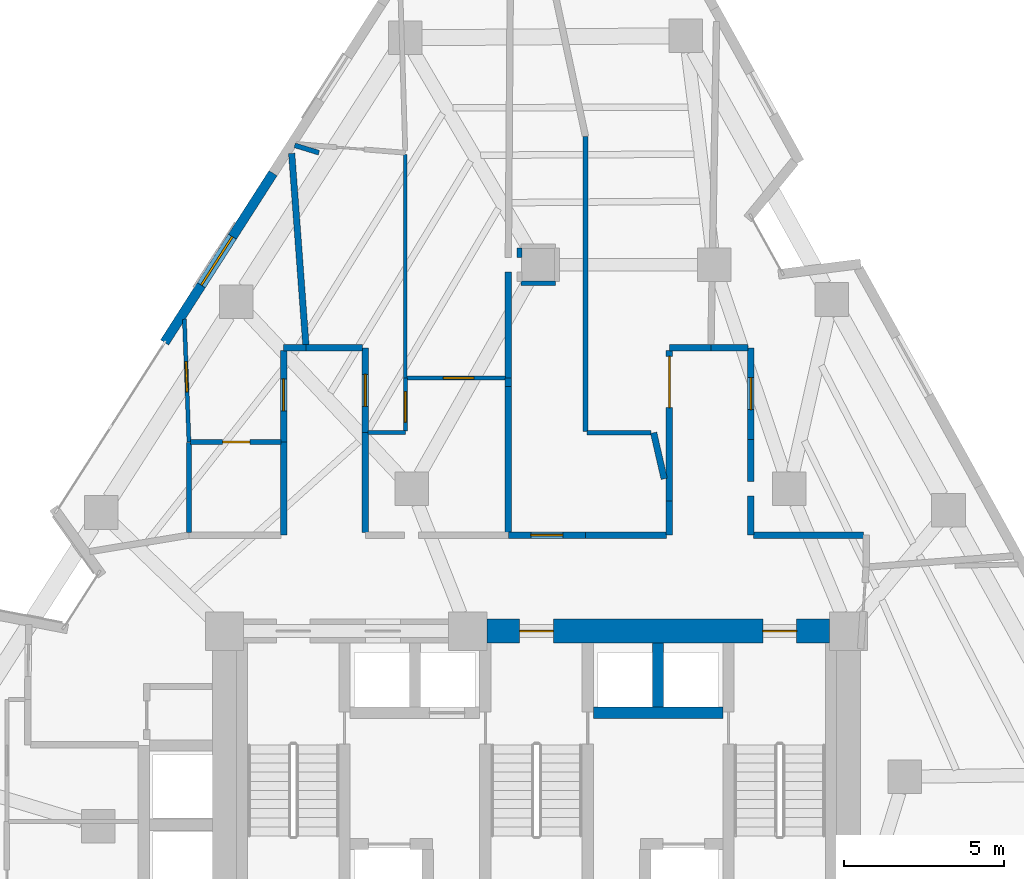
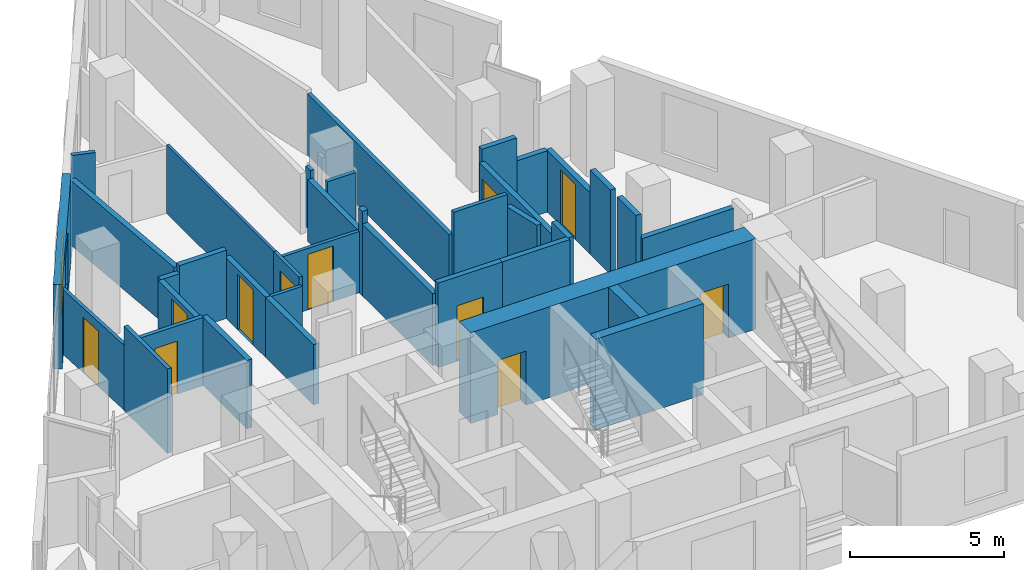
# One storey, part 7 of 11: 37 walls, 11 doors, 1 window, 12 openings.
"""IFC4 building model written with IfcOpenShell, lengths in metres."""

from ifc_helpers import new_model, si_unit, direction, frame, frame_2d, origin, place, context, subcontext, project, spatial, rectangle, extrude, material, layer, layer_set, type_object, element, fill, save


model = new_model("IFC4")

# Units and contexts
model_context = context("Model", 3, precision=1e-05, world=origin(), true_north=direction((0.0, 1.0)))
body_context = subcontext(model_context, "Body", "Model", "MODEL_VIEW")
ifc_project = project(units=[si_unit("LENGTHUNIT", "METRE"), si_unit("AREAUNIT", "SQUARE_METRE"), si_unit("VOLUMEUNIT", "CUBIC_METRE"), si_unit("PLANEANGLEUNIT", "RADIAN"), si_unit("MASSUNIT", "GRAM", prefix="KILO")], contexts=[model_context])

# Site, building, storey
site_placement = place(None, origin())
site = spatial("IfcSite", under=ifc_project, at=site_placement, CompositionType="ELEMENT")
building_placement = place(site_placement, origin())
building = spatial("IfcBuilding", under=site, at=building_placement, Name="Almagre Mirador Tower", CompositionType="ELEMENT")
storey_placement = place(building_placement, frame((0.0, 0.0, 160.800048828125)))
storey = spatial("IfcBuildingStorey", under=building, at=storey_placement, Name="L41", CompositionType="ELEMENT", Elevation=160.800048828125)

# Wall, opening, window
ifc_material_1 = material(Name="Precast concrete C50/60", Category="concrete")
ifc_layer_1 = layer(ifc_material_1, 0.300048828125)
ifc_layer_set_1 = layer_set([ifc_layer_1], Name="Precast concrete C50/60")
wall_type_1 = type_object("IfcWallType", Name="WAL-EXT-300", PredefinedType="SOLIDWALL", material=ifc_layer_set_1)
wall_1_placement = place(storey_placement, frame((25.679443359375, 23.771728515625, 0.0), z_axis=(0.0, 0.0, 1.0), x_axis=(0.539489448276, 0.841992360535, 0.0)))
wall_1 = element("IfcWall", 1, at=wall_1_placement, inside=storey, type_object=wall_type_1, Name="L41 expressed almagre precast frame wall 03", PredefinedType="SOLIDWALL", context=body_context, shape_type="SweptSolid", body=[
    extrude(rectangle(XDim=6.279052734375, YDim=0.300048828125, at=frame_2d((3.1396484375, 0.0))), origin(), (0.0, 0.0, 1.0), 3.349853515625),
])
opening_1_placement = place(wall_1_placement, frame((2.125, 0.0, 0.60009765625)))
opening_1 = element("IfcOpeningElement", 2, at=opening_1_placement, cuts=wall_1, Name="Opening WN-01", PredefinedType="OPENING", context=body_context, shape_type="SweptSolid", body=[
    extrude(rectangle(XDim=1.800048828125, YDim=2.10009765625, at=frame_2d((0.89990234375, 1.050048828125))), frame((0.0, 0.159902, 0.0), z_axis=(0.0, -1.0, 0.0), x_axis=(1.0, 0.0, 0.0)), (0.0, 0.0, 1.0), 0.320049),
])
ifc_material_2 = material(Name="Dark solar-control laminated hurricane glass", Category="glass")
window_type = type_object("IfcWindowType", Name="WIN-1800X2100", PartitioningType="DOUBLE_PANEL_VERTICAL", PredefinedType="WINDOW", material=ifc_material_2)
window_placement = place(opening_1_placement, origin())
window = element("IfcWindow", 3, at=window_placement, inside=storey, type_object=window_type, Name="L41 recessed hurricane window L41-UD-ST", OverallHeight=2.10009765625, OverallWidth=1.800048828125, PartitioningType="SINGLE_PANEL", PredefinedType="WINDOW", context=body_context, shape_type="SweptSolid", body=[
    extrude(rectangle(XDim=1.800048828125, YDim=2.10009765625, at=frame_2d((0.89990234375, 1.050048828125))), frame((0.0, 0.030029296875, 0.0), z_axis=(0.0, -1.0, 0.0), x_axis=(1.0, 0.0, 0.0)), (0.0, 0.0, 1.0), 0.06005859375),
])
fill(opening_1, window)

# Wall
ifc_material_3 = material(Name="Gypsum acoustic stud partition", Category="other")
ifc_layer_2 = layer(ifc_material_3, 0.10009765625)
ifc_layer_set_2 = layer_set([ifc_layer_2], Name="Gypsum acoustic stud partition")
wall_type_2 = type_object("IfcWallType", Name="WAL-PRT-100-CLS", PredefinedType="PARTITIONING", material=ifc_layer_set_2)
wall_2_placement = place(storey_placement, frame((33.199951171875, 22.659912109375, 0.0), z_axis=(0.0, 0.0, 1.0), x_axis=(0.0, 1.0, 0.0)))
element("IfcWall", 4, at=wall_2_placement, inside=storey, type_object=wall_type_2, Name="L41 interior partition 062", PredefinedType="PARTITIONING", context=body_context, shape_type="SweptSolid", body=[
    extrude(rectangle(XDim=6.97998046875, YDim=0.10009765625, at=frame_2d((3.489990234375, 0.0))), origin(), (0.0, 0.0, 1.0), 2.708984375),
])

# Wall, opening, door
ifc_material_4 = material(Name="Gypsum acoustic stud partition", Category="other")
ifc_layer_3 = layer(ifc_material_4, 0.125)
ifc_layer_set_3 = layer_set([ifc_layer_3], Name="Gypsum acoustic stud partition")
wall_type_3 = type_object("IfcWallType", Name="WAL-PRT-125-UTL", PredefinedType="PARTITIONING", material=ifc_layer_set_3)
wall_3_placement = place(storey_placement, frame((26.298095703125, 24.4970703125, 0.0), z_axis=(0.0, 0.0, 1.0), x_axis=(0.036941110587, -0.999317444233, 0.0)))
wall_3 = element("IfcWall", 5, at=wall_3_placement, inside=storey, type_object=wall_type_3, Name="L41 interior partition 042", PredefinedType="PARTITIONING", context=body_context, shape_type="SweptSolid", body=[
    extrude(rectangle(XDim=3.83984375, YDim=0.125, at=frame_2d((1.919921875, 0.0))), origin(), (0.0, 0.0, 1.0), 2.570068359375),
])
opening_2_placement = place(wall_3_placement, frame((1.32470703125, 0.0, 0.0)))
opening_2 = element("IfcOpeningElement", 6, at=opening_2_placement, cuts=wall_3, Name="Opening UD-01", PredefinedType="OPENING", context=body_context, shape_type="SweptSolid", body=[
    extrude(rectangle(XDim=0.949951171875, YDim=2.199951171875, at=frame_2d((0.47509765625, 1.10009765625))), frame((0.0, 0.0725, 0.0), z_axis=(0.0, -1.0, 0.0), x_axis=(1.0, 0.0, 0.0)), (0.0, 0.0, 1.0), 0.145),
])
ifc_material_5 = material(Name="Solid American walnut timber", Category="wood")
door_type_1 = type_object("IfcDoorType", Name="DOR-UNR-950X2200", OperationType="NOTDEFINED", PredefinedType="DOOR", material=ifc_material_5)
door_1_placement = place(opening_2_placement, origin())
door_1 = element("IfcDoor", 7, at=door_1_placement, inside=storey, type_object=door_type_1, Name="DR-1328 L41 interior door L41-UD-ST to L41-UD-KT", OperationType="SINGLE_SWING_RIGHT", OverallHeight=2.199951171875, OverallWidth=0.949951171875, PredefinedType="DOOR", context=body_context, shape_type="SweptSolid", body=[
    extrude(rectangle(XDim=0.949951171875, YDim=2.199951171875, at=frame_2d((0.47509765625, 1.10009765625))), frame((0.0, 0.02490234375, 0.0), z_axis=(0.0, -1.0, 0.0), x_axis=(1.0, 0.0, 0.0)), (0.0, 0.0, 1.0), 0.050048828125),
])
fill(opening_2, door_1)

# Wall
wall_4_placement = place(storey_placement, frame((32.034912109375, 20.949951171875, 0.0), z_axis=(0.0, 0.0, 1.0), x_axis=(1.0, 0.0, 0.0)))
element("IfcWall", 8, at=wall_4_placement, inside=storey, type_object=wall_type_3, Name="L41 interior partition 060", PredefinedType="PARTITIONING", context=body_context, shape_type="SweptSolid", body=[
    extrude(rectangle(XDim=1.1650390625, YDim=0.125, at=frame_2d((0.58251953125, 0.0))), origin(), (0.0, 0.0, 1.0), 2.39306640625),
])

# Wall, opening, door
wall_5_placement = place(storey_placement, frame((33.199951171875, 20.99755859375, 0.0), z_axis=(0.0, 0.0, 1.0), x_axis=(0.0, 1.0, 0.0)))
wall_5 = element("IfcWall", 9, at=wall_5_placement, inside=storey, type_object=wall_type_3, Name="L41 interior partition 061", PredefinedType="PARTITIONING", context=body_context, shape_type="SweptSolid", body=[
    extrude(rectangle(XDim=1.662353515625, YDim=0.125, at=frame_2d((0.8310546875, 0.0))), origin(), (0.0, 0.0, 1.0), 2.708984375),
])
opening_3_placement = place(wall_5_placement, frame((0.284423828125, 0.0, 0.0)))
opening_3 = element("IfcOpeningElement", 10, at=opening_3_placement, cuts=wall_5, Name="Opening UD-01", PredefinedType="OPENING", context=body_context, shape_type="SweptSolid", body=[
    extrude(rectangle(XDim=0.949951171875, YDim=2.199951171875, at=frame_2d((0.47509765625, 1.10009765625))), frame((0.0, 0.0725, 0.0), z_axis=(0.0, -1.0, 0.0), x_axis=(1.0, 0.0, 0.0)), (0.0, 0.0, 1.0), 0.145),
])
door_2_placement = place(opening_3_placement, origin())
door_2 = element("IfcDoor", 11, at=door_2_placement, inside=storey, type_object=door_type_1, Name="DR-1333 L41 interior door L41-UG-ST to L41-UG-KT", OperationType="SINGLE_SWING_RIGHT", OverallHeight=2.199951171875, OverallWidth=0.949951171875, PredefinedType="DOOR", context=body_context, shape_type="SweptSolid", body=[
    extrude(rectangle(XDim=0.949951171875, YDim=2.199951171875, at=frame_2d((0.47509765625, 1.10009765625))), frame((0.0, 0.02490234375, 0.0), z_axis=(0.0, -1.0, 0.0), x_axis=(1.0, 0.0, 0.0)), (0.0, 0.0, 1.0), 0.050048828125),
])
fill(opening_3, door_2)

wall_6_placement = place(storey_placement, frame((36.3349609375, 22.659912109375, 0.0), z_axis=(0.0, 0.0, 1.0), x_axis=(-1.0, 0.0, 0.0)))
wall_6 = element("IfcWall", 12, at=wall_6_placement, inside=storey, type_object=wall_type_3, Name="L41 interior partition 064", PredefinedType="PARTITIONING", context=body_context, shape_type="SweptSolid", body=[
    extrude(rectangle(XDim=3.08740234375, YDim=0.125, at=frame_2d((1.543701171875, 0.0))), origin(), (0.0, 0.0, 1.0), 2.43603515625),
])
opening_4_placement = place(wall_6_placement, frame((0.991455078125, 0.0, 0.0)))
opening_4 = element("IfcOpeningElement", 13, at=opening_4_placement, cuts=wall_6, Name="Opening UD-01", PredefinedType="OPENING", context=body_context, shape_type="SweptSolid", body=[
    extrude(rectangle(XDim=0.949951171875, YDim=2.199951171875, at=frame_2d((0.47509765625, 1.10009765625))), frame((0.0, 0.0725, 0.0), z_axis=(0.0, -1.0, 0.0), x_axis=(1.0, 0.0, 0.0)), (0.0, 0.0, 1.0), 0.145),
])
door_3_placement = place(opening_4_placement, origin())
door_3 = element("IfcDoor", 14, at=door_3_placement, inside=storey, type_object=door_type_1, Name="DR-1335 L41 interior door L41-UG-KT to L41-UG-SL1", OperationType="SINGLE_SWING_RIGHT", OverallHeight=2.199951171875, OverallWidth=0.949951171875, PredefinedType="DOOR", context=body_context, shape_type="SweptSolid", body=[
    extrude(rectangle(XDim=0.949951171875, YDim=2.199951171875, at=frame_2d((0.47509765625, 1.10009765625))), frame((0.0, 0.02490234375, 0.0), z_axis=(0.0, -1.0, 0.0), x_axis=(1.0, 0.0, 0.0)), (0.0, 0.0, 1.0), 0.050048828125),
])
fill(opening_4, door_3)

ifc_material_6 = material(Name="Gypsum acoustic stud partition", Category="other")
ifc_layer_4 = layer(ifc_material_6, 0.14990234375)
ifc_layer_set_4 = layer_set([ifc_layer_4], Name="Gypsum acoustic stud partition")
wall_type_4 = type_object("IfcWallType", Name="WAL-PRT-150-STD", PredefinedType="PARTITIONING", material=ifc_layer_set_4)
wall_7_placement = place(storey_placement, frame((26.487548828125, 20.659912109375, 0.0), z_axis=(0.0, 0.0, 1.0), x_axis=(1.0, 0.0, 0.0)))
wall_7 = element("IfcWall", 15, at=wall_7_placement, inside=storey, type_object=wall_type_4, Name="L41 interior partition 043", PredefinedType="PARTITIONING", context=body_context, shape_type="SweptSolid", body=[
    extrude(rectangle(XDim=2.827392578125, YDim=0.14990234375, at=frame_2d((1.41357421875, 0.0))), origin(), (0.0, 0.0, 1.0), 2.708984375),
])
opening_5_placement = place(wall_7_placement, frame((1.007568359375, 0.0, 0.0)))
opening_5 = element("IfcOpeningElement", 16, at=opening_5_placement, cuts=wall_7, Name="Opening UD-04", PredefinedType="OPENING", context=body_context, shape_type="SweptSolid", body=[
    extrude(rectangle(XDim=0.85009765625, YDim=2.10009765625, at=frame_2d((0.425048828125, 1.050048828125))), frame((0.0, 0.084951, 0.0), z_axis=(0.0, -1.0, 0.0), x_axis=(1.0, 0.0, 0.0)), (0.0, 0.0, 1.0), 0.169902),
])
ifc_material_7 = material(Name="Moisture-resistant oak timber", Category="wood")
door_type_2 = type_object("IfcDoorType", Name="DOR-UNR-850X2100", OperationType="NOTDEFINED", PredefinedType="DOOR", material=ifc_material_7)
door_4_placement = place(opening_5_placement, origin())
door_4 = element("IfcDoor", 17, at=door_4_placement, inside=storey, type_object=door_type_2, Name="DR-1329 L41 interior door L41-UD-ST to L41-UD-BT", OperationType="SINGLE_SWING_LEFT", OverallHeight=2.10009765625, OverallWidth=0.85009765625, PredefinedType="DOOR", context=body_context, shape_type="SweptSolid", body=[
    extrude(rectangle(XDim=0.85009765625, YDim=2.10009765625, at=frame_2d((0.425048828125, 1.050048828125))), frame((0.0, 0.02490234375, 0.0), z_axis=(0.0, -1.0, 0.0), x_axis=(1.0, 0.0, 0.0)), (0.0, 0.0, 1.0), 0.050048828125),
])
fill(opening_5, door_4)

# Walls
wall_8_placement = place(storey_placement, frame((26.43994140625, 17.8349609375, 0.0), z_axis=(0.0, 0.0, 1.0), x_axis=(0.0, 1.0, 0.0)))
element("IfcWall", 18, at=wall_8_placement, inside=storey, type_object=wall_type_4, Name="L41 interior partition 045", PredefinedType="PARTITIONING", context=body_context, shape_type="SweptSolid", body=[
    extrude(rectangle(XDim=2.8125, YDim=0.14990234375, at=frame_2d((1.40625, 0.0))), origin(), (0.0, 0.0, 1.0), 3.349853515625),
])
wall_9_placement = place(storey_placement, frame((29.743896484375, 29.930908203125, 0.0), z_axis=(0.0, 0.0, 1.0), x_axis=(0.956483166449, -0.291787512241, 0.0)))
element("IfcWall", 19, at=wall_9_placement, inside=storey, type_object=wall_type_4, Name="L41 interior partition 073", PredefinedType="PARTITIONING", context=body_context, shape_type="SweptSolid", body=[
    extrude(rectangle(XDim=0.79150390625, YDim=0.14990234375, at=frame_2d((0.395751953125, 0.0))), origin(), (0.0, 0.0, 1.0), 3.349853515625),
])
wall_10_placement = place(storey_placement, frame((36.77001953125, 26.419921875, 0.0), z_axis=(0.0, 0.0, 1.0), x_axis=(0.0, 1.0, 0.0)))
element("IfcWall", 20, at=wall_10_placement, inside=storey, type_object=wall_type_4, Name="L41 interior partition 075", PredefinedType="PARTITIONING", context=body_context, shape_type="SweptSolid", body=[
    extrude(rectangle(XDim=0.31005859375, YDim=0.14990234375, at=frame_2d((0.155029296875, 0.0))), origin(), (0.0, 0.0, 1.0), 2.39306640625),
])
wall_11_placement = place(storey_placement, frame((37.889892578125, 25.6201171875, 0.0), z_axis=(0.0, 0.0, 1.0), x_axis=(-1.0, 0.0, 0.0)))
element("IfcWall", 21, at=wall_11_placement, inside=storey, type_object=wall_type_4, Name="L41 interior partition 078", PredefinedType="PARTITIONING", context=body_context, shape_type="SweptSolid", body=[
    extrude(rectangle(XDim=1.06982421875, YDim=0.14990234375, at=frame_2d((0.534912109375, 0.0))), origin(), (0.0, 0.0, 1.0), 2.43603515625),
])
wall_12_placement = place(storey_placement, frame((40.875, 20.949951171875, 0.0), z_axis=(0.0, 0.0, 1.0), x_axis=(-1.0, 0.0, 0.0)))
element("IfcWall", 22, at=wall_12_placement, inside=storey, type_object=wall_type_4, Name="L41 interior partition 080", PredefinedType="PARTITIONING", context=body_context, shape_type="SweptSolid", body=[
    extrude(rectangle(XDim=2.0048828125, YDim=0.14990234375, at=frame_2d((1.00244140625, 0.0))), origin(), (0.0, 0.0, 1.0), 3.349853515625),
])
wall_13_placement = place(storey_placement, frame((38.830078125, 20.989990234375, 0.0), z_axis=(0.0, 0.0, 1.0), x_axis=(0.0, 1.0, 0.0)))
element("IfcWall", 23, at=wall_13_placement, inside=storey, type_object=wall_type_4, Name="L41 interior partition 081", PredefinedType="PARTITIONING", context=body_context, shape_type="SweptSolid", body=[
    extrude(rectangle(XDim=9.219970703125, YDim=0.14990234375, at=frame_2d((4.60986328125, 0.0))), origin(), (0.0, 0.0, 1.0), 2.43603515625),
])
ifc_material_8 = material(Name="Gypsum acoustic stud partition", Category="other")
ifc_layer_5 = layer(ifc_material_8, 0.199951171875)
ifc_layer_set_5 = layer_set([ifc_layer_5], Name="Gypsum acoustic stud partition")
wall_type_5 = type_object("IfcWallType", Name="WAL-PRT-200-EI60", PredefinedType="PARTITIONING", material=ifc_layer_set_5)
wall_14_placement = place(storey_placement, frame((30.10009765625, 23.60009765625, 0.0), z_axis=(0.0, 0.0, 1.0), x_axis=(-1.0, 0.0, 0.0)))
element("IfcWall", 24, at=wall_14_placement, inside=storey, type_object=wall_type_5, Name="L41 interior partition 005", PredefinedType="PARTITIONING", context=body_context, shape_type="SweptSolid", body=[
    extrude(rectangle(XDim=0.7001953125, YDim=0.199951171875, at=frame_2d((0.35009765625, 0.0))), origin(), (0.0, 0.0, 1.0), 2.39306640625),
])

# Wall, opening, door
wall_15_placement = place(storey_placement, frame((29.39990234375, 23.514892578125, 0.0), z_axis=(0.0, 0.0, 1.0), x_axis=(0.0, -1.0, 0.0)))
wall_15 = element("IfcWall", 25, at=wall_15_placement, inside=storey, type_object=wall_type_5, Name="L41 interior partition 006", PredefinedType="PARTITIONING", context=body_context, shape_type="SweptSolid", body=[
    extrude(rectangle(XDim=2.85498046875, YDim=0.199951171875, at=frame_2d((1.427490234375, 0.0))), origin(), (0.0, 0.0, 1.0), 2.39306640625),
])
opening_6_placement = place(wall_15_placement, frame((0.885009765625, 0.0, 0.0)))
opening_6 = element("IfcOpeningElement", 26, at=opening_6_placement, cuts=wall_15, Name="Opening ID-01", PredefinedType="OPENING", context=body_context, shape_type="SweptSolid", body=[
    extrude(rectangle(XDim=1.0, YDim=2.199951171875, at=frame_2d((0.5, 1.10009765625))), frame((0.0, 0.110098, 0.0), z_axis=(0.0, -1.0, 0.0), x_axis=(1.0, 0.0, 0.0)), (0.0, 0.0, 1.0), 0.219951),
])
ifc_material_9 = material(Name="Fire-rated walnut timber", Category="wood")
door_type_3 = type_object("IfcDoorType", Name="DOR-FD60-1000X2200", OperationType="NOTDEFINED", PredefinedType="DOOR", material=ifc_material_9)
door_5_placement = place(opening_6_placement, origin())
door_5 = element("IfcDoor", 27, at=door_5_placement, inside=storey, type_object=door_type_3, Name="DR-1327 L41 interior door L41-RCOR to L41-UD-ST", OperationType="SINGLE_SWING_LEFT", OverallHeight=2.199951171875, OverallWidth=1.0, PredefinedType="DOOR", context=body_context, shape_type="SweptSolid", body=[
    extrude(rectangle(XDim=1.0, YDim=2.199951171875, at=frame_2d((0.5, 1.10009765625))), frame((0.0, 0.02490234375, 0.0), z_axis=(0.0, -1.0, 0.0), x_axis=(1.0, 0.0, 0.0)), (0.0, 0.0, 1.0), 0.050048828125),
])
fill(opening_6, door_5)

# Wall
wall_16_placement = place(storey_placement, frame((29.39990234375, 20.659912109375, 0.0), z_axis=(0.0, 0.0, 1.0), x_axis=(0.0, -1.0, 0.0)))
element("IfcWall", 28, at=wall_16_placement, inside=storey, type_object=wall_type_5, Name="L41 interior partition 008", PredefinedType="PARTITIONING", context=body_context, shape_type="SweptSolid", body=[
    extrude(rectangle(XDim=2.909912109375, YDim=0.199951171875, at=frame_2d((1.455078125, 0.0))), origin(), (0.0, 0.0, 1.0), 2.708984375),
])

# Wall, opening, door
wall_17_placement = place(storey_placement, frame((38.830078125, 17.75, 0.0), z_axis=(0.0, 0.0, 1.0), x_axis=(-1.0, 0.0, 0.0)))
wall_17 = element("IfcWall", 29, at=wall_17_placement, inside=storey, type_object=wall_type_5, Name="L41 interior partition 010", PredefinedType="PARTITIONING", context=body_context, shape_type="SweptSolid", body=[
    extrude(rectangle(XDim=2.41015625, YDim=0.199951171875, at=frame_2d((1.205078125, 0.0))), origin(), (0.0, 0.0, 1.0), 3.349853515625),
])
opening_7_placement = place(wall_17_placement, frame((0.705078125, 0.0, 0.0)))
opening_7 = element("IfcOpeningElement", 30, at=opening_7_placement, cuts=wall_17, Name="Opening ID-01", PredefinedType="OPENING", context=body_context, shape_type="SweptSolid", body=[
    extrude(rectangle(XDim=1.0, YDim=2.199951171875, at=frame_2d((0.5, 1.10009765625))), frame((0.0, 0.110098, 0.0), z_axis=(0.0, -1.0, 0.0), x_axis=(1.0, 0.0, 0.0)), (0.0, 0.0, 1.0), 0.219951),
])
door_6_placement = place(opening_7_placement, origin())
door_6 = element("IfcDoor", 31, at=door_6_placement, inside=storey, type_object=door_type_3, Name="DR-1330 L41 interior door L41-RCOR to L41-UE-ST", OperationType="SINGLE_SWING_RIGHT", OverallHeight=2.199951171875, OverallWidth=1.0, PredefinedType="DOOR", context=body_context, shape_type="SweptSolid", body=[
    extrude(rectangle(XDim=1.0, YDim=2.199951171875, at=frame_2d((0.5, 1.10009765625))), frame((0.0, 0.02490234375, 0.0), z_axis=(0.0, -1.0, 0.0), x_axis=(1.0, 0.0, 0.0)), (0.0, 0.0, 1.0), 0.050048828125),
])
fill(opening_7, door_6)

# Walls
wall_18_placement = place(storey_placement, frame((41.449951171875, 18.81005859375, 0.0), z_axis=(0.0, 0.0, 1.0), x_axis=(0.0, -1.0, 0.0)))
element("IfcWall", 32, at=wall_18_placement, inside=storey, type_object=wall_type_5, Name="L41 interior partition 011", PredefinedType="PARTITIONING", context=body_context, shape_type="SweptSolid", body=[
    extrude(rectangle(XDim=1.06005859375, YDim=0.199951171875, at=frame_2d((0.530029296875, 0.0))), origin(), (0.0, 0.0, 1.0), 3.349853515625),
])
wall_19_placement = place(storey_placement, frame((41.364990234375, 17.75, 0.0), z_axis=(0.0, 0.0, 1.0), x_axis=(-1.0, 0.0, 0.0)))
element("IfcWall", 33, at=wall_19_placement, inside=storey, type_object=wall_type_5, Name="L41 interior partition 012", PredefinedType="PARTITIONING", context=body_context, shape_type="SweptSolid", body=[
    extrude(rectangle(XDim=2.534912109375, YDim=0.199951171875, at=frame_2d((1.267578125, 0.0))), origin(), (0.0, 0.0, 1.0), 3.349853515625),
])

# Wall, opening, door
wall_20_placement = place(storey_placement, frame((44.0, 20.739990234375, 0.0), z_axis=(0.0, 0.0, 1.0), x_axis=(0.0, 1.0, 0.0)))
wall_20 = element("IfcWall", 34, at=wall_20_placement, inside=storey, type_object=wall_type_5, Name="L41 interior partition 013", PredefinedType="PARTITIONING", context=body_context, shape_type="SweptSolid", body=[
    extrude(rectangle(XDim=2.860107421875, YDim=0.199951171875, at=frame_2d((1.43017578125, 0.0))), origin(), (0.0, 0.0, 1.0), 2.43603515625),
])
opening_8_placement = place(wall_20_placement, frame((0.929931640625, 0.0, 0.0)))
opening_8 = element("IfcOpeningElement", 35, at=opening_8_placement, cuts=wall_20, Name="Opening ID-01", PredefinedType="OPENING", context=body_context, shape_type="SweptSolid", body=[
    extrude(rectangle(XDim=1.0, YDim=2.199951171875, at=frame_2d((0.5, 1.10009765625))), frame((0.0, 0.110098, 0.0), z_axis=(0.0, -1.0, 0.0), x_axis=(1.0, 0.0, 0.0)), (0.0, 0.0, 1.0), 0.219951),
])
door_7_placement = place(opening_8_placement, origin())
door_7 = element("IfcDoor", 36, at=door_7_placement, inside=storey, type_object=door_type_3, Name="DR-1331 L41 interior door L41-RCOR to L41-UF-ST", OperationType="SINGLE_SWING_LEFT", OverallHeight=2.199951171875, OverallWidth=1.0, PredefinedType="DOOR", context=body_context, shape_type="SweptSolid", body=[
    extrude(rectangle(XDim=1.0, YDim=2.199951171875, at=frame_2d((0.5, 1.10009765625))), frame((0.0, 0.02490234375, 0.0), z_axis=(0.0, -1.0, 0.0), x_axis=(1.0, 0.0, 0.0)), (0.0, 0.0, 1.0), 0.050048828125),
])
fill(opening_8, door_7)

# Walls
wall_21_placement = place(storey_placement, frame((43.9150390625, 23.60009765625, 0.0), z_axis=(0.0, 0.0, 1.0), x_axis=(-1.0, 0.0, 0.0)))
element("IfcWall", 37, at=wall_21_placement, inside=storey, type_object=wall_type_5, Name="L41 interior partition 014", PredefinedType="PARTITIONING", context=body_context, shape_type="SweptSolid", body=[
    extrude(rectangle(XDim=1.1650390625, YDim=0.199951171875, at=frame_2d((0.58251953125, 0.0))), origin(), (0.0, 0.0, 1.0), 2.43603515625),
])
wall_22_placement = place(storey_placement, frame((44.0, 17.75, 0.0), z_axis=(0.0, 0.0, 1.0), x_axis=(0.0, 1.0, 0.0)))
element("IfcWall", 38, at=wall_22_placement, inside=storey, type_object=wall_type_5, Name="L41 interior partition 018", PredefinedType="PARTITIONING", context=body_context, shape_type="SweptSolid", body=[
    extrude(rectangle(XDim=1.22998046875, YDim=0.199951171875, at=frame_2d((0.614990234375, 0.0))), origin(), (0.0, 0.0, 1.0), 3.349853515625),
])

# Wall, opening, door
wall_23_placement = place(storey_placement, frame((31.949951171875, 20.949951171875, 0.0), z_axis=(0.0, 0.0, 1.0), x_axis=(0.0, 1.0, 0.0)))
wall_23 = element("IfcWall", 39, at=wall_23_placement, inside=storey, type_object=wall_type_5, Name="L41 interior partition 020", PredefinedType="PARTITIONING", context=body_context, shape_type="SweptSolid", body=[
    extrude(rectangle(XDim=2.650146484375, YDim=0.199951171875, at=frame_2d((1.3251953125, 0.0))), origin(), (0.0, 0.0, 1.0), 2.39306640625),
])
opening_9_placement = place(wall_23_placement, frame((0.824951171875, 0.0, 0.0)))
opening_9 = element("IfcOpeningElement", 40, at=opening_9_placement, cuts=wall_23, Name="Opening ID-01", PredefinedType="OPENING", context=body_context, shape_type="SweptSolid", body=[
    extrude(rectangle(XDim=1.0, YDim=2.199951171875, at=frame_2d((0.5, 1.10009765625))), frame((0.0, 0.110098, 0.0), z_axis=(0.0, -1.0, 0.0), x_axis=(1.0, 0.0, 0.0)), (0.0, 0.0, 1.0), 0.219951),
])
door_8_placement = place(opening_9_placement, origin())
door_8 = element("IfcDoor", 41, at=door_8_placement, inside=storey, type_object=door_type_3, Name="DR-1332 L41 interior door L41-RCOR to L41-UG-ST", OperationType="SINGLE_SWING_LEFT", OverallHeight=2.199951171875, OverallWidth=1.0, PredefinedType="DOOR", context=body_context, shape_type="SweptSolid", body=[
    extrude(rectangle(XDim=1.0, YDim=2.199951171875, at=frame_2d((0.5, 1.10009765625))), frame((0.0, 0.02490234375, 0.0), z_axis=(0.0, -1.0, 0.0), x_axis=(1.0, 0.0, 0.0)), (0.0, 0.0, 1.0), 0.050048828125),
])
fill(opening_9, door_8)

# Walls
wall_24_placement = place(storey_placement, frame((31.864990234375, 23.60009765625, 0.0), z_axis=(0.0, 0.0, 1.0), x_axis=(-1.0, 0.0, 0.0)))
element("IfcWall", 42, at=wall_24_placement, inside=storey, type_object=wall_type_5, Name="L41 interior partition 021", PredefinedType="PARTITIONING", context=body_context, shape_type="SweptSolid", body=[
    extrude(rectangle(XDim=1.764892578125, YDim=0.199951171875, at=frame_2d((0.88232421875, 0.0))), origin(), (0.0, 0.0, 1.0), 2.708984375),
])
wall_25_placement = place(storey_placement, frame((31.949951171875, 17.8349609375, 0.0), z_axis=(0.0, 0.0, 1.0), x_axis=(0.0, 1.0, 0.0)))
element("IfcWall", 43, at=wall_25_placement, inside=storey, type_object=wall_type_5, Name="L41 interior partition 023", PredefinedType="PARTITIONING", context=body_context, shape_type="SweptSolid", body=[
    extrude(rectangle(XDim=3.114990234375, YDim=0.199951171875, at=frame_2d((1.5576171875, 0.0))), origin(), (0.0, 0.0, 1.0), 2.39306640625),
])
wall_26_placement = place(storey_placement, frame((42.75, 23.60009765625, 0.0), z_axis=(0.0, 0.0, 1.0), x_axis=(-1.0, 0.0, 0.0)))
element("IfcWall", 44, at=wall_26_placement, inside=storey, type_object=wall_type_5, Name="L41 interior partition 025", PredefinedType="PARTITIONING", context=body_context, shape_type="SweptSolid", body=[
    extrude(rectangle(XDim=1.300048828125, YDim=0.199951171875, at=frame_2d((0.64990234375, 0.0))), origin(), (0.0, 0.0, 1.0), 3.349853515625),
])

# Wall, opening, door
wall_27_placement = place(storey_placement, frame((41.449951171875, 23.514892578125, 0.0), z_axis=(0.0, 0.0, 1.0), x_axis=(0.0, -1.0, 0.0)))
wall_27 = element("IfcWall", 45, at=wall_27_placement, inside=storey, type_object=wall_type_5, Name="L41 interior partition 026", PredefinedType="PARTITIONING", context=body_context, shape_type="SweptSolid", body=[
    extrude(rectangle(XDim=4.704833984375, YDim=0.199951171875, at=frame_2d((2.3525390625, 0.0))), origin(), (0.0, 0.0, 1.0), 2.85302734375),
])
opening_10_placement = place(wall_27_placement, frame((0.17626953125, 0.0, 0.0)))
opening_10 = element("IfcOpeningElement", 46, at=opening_10_placement, cuts=wall_27, Name="Opening ID-05", PredefinedType="OPENING", context=body_context, shape_type="SweptSolid", body=[
    extrude(rectangle(XDim=1.60009765625, YDim=2.300048828125, at=frame_2d((0.800048828125, 1.14990234375))), frame((0.0, 0.110098, 0.0), z_axis=(0.0, -1.0, 0.0), x_axis=(1.0, 0.0, 0.0)), (0.0, 0.0, 1.0), 0.219951),
])
ifc_material_10 = material(Name="Fire-rated acoustic timber", Category="wood")
door_type_4 = type_object("IfcDoorType", Name="DOR-FD60-1600X2300", OperationType="DOUBLE_DOOR_SINGLE_SWING", PredefinedType="DOOR", material=ifc_material_10)
door_9_placement = place(opening_10_placement, origin())
door_9 = element("IfcDoor", 47, at=door_9_placement, inside=storey, type_object=door_type_4, Name="DR-1322 L41 interior door L41-RCOR to L41-RST-H", OperationType="DOUBLE_DOOR_SINGLE_SWING", OverallHeight=2.300048828125, OverallWidth=1.60009765625, PredefinedType="DOOR", context=body_context, shape_type="SweptSolid", body=[
    extrude(rectangle(XDim=1.60009765625, YDim=2.300048828125, at=frame_2d((0.800048828125, 1.14990234375))), frame((0.0, 0.02490234375, 0.0), z_axis=(0.0, -1.0, 0.0), x_axis=(1.0, 0.0, 0.0)), (0.0, 0.0, 1.0), 0.050048828125),
])
fill(opening_10, door_9)

# Walls
wall_28_placement = place(storey_placement, frame((30.093994140625, 23.684814453125, 0.0), z_axis=(0.0, 0.0, 1.0), x_axis=(-0.073885151141, 0.997266756912, 0.0)))
element("IfcWall", 48, at=wall_28_placement, inside=storey, type_object=wall_type_5, Name="L41 interior partition 044", PredefinedType="PARTITIONING", context=body_context, shape_type="SweptSolid", body=[
    extrude(rectangle(XDim=6.010498046875, YDim=0.199951171875, at=frame_2d((3.00537109375, 0.0))), origin(), (0.0, 0.0, 1.0), 2.570068359375),
])
wall_29_placement = place(storey_placement, frame((36.419921875, 22.39990234375, 0.0), z_axis=(0.0, 0.0, 1.0), x_axis=(0.0, -1.0, 0.0)))
element("IfcWall", 49, at=wall_29_placement, inside=storey, type_object=wall_type_5, Name="L41 interior partition 048", PredefinedType="PARTITIONING", context=body_context, shape_type="SweptSolid", body=[
    extrude(rectangle(XDim=4.56494140625, YDim=0.199951171875, at=frame_2d((2.282470703125, 0.0))), origin(), (0.0, 0.0, 1.0), 2.85302734375),
])
wall_30_placement = place(storey_placement, frame((36.419921875, 22.659912109375, 0.0), z_axis=(0.0, 0.0, 1.0), x_axis=(0.0, -1.0, 0.0)))
element("IfcWall", 50, at=wall_30_placement, inside=storey, type_object=wall_type_5, Name="L41 interior partition 049", PredefinedType="PARTITIONING", context=body_context, shape_type="SweptSolid", body=[
    extrude(rectangle(XDim=0.260009765625, YDim=0.199951171875, at=frame_2d((0.1298828125, 0.0))), origin(), (0.0, 0.0, 1.0), 3.349853515625),
])
wall_31_placement = place(storey_placement, frame((36.419921875, 25.97998046875, 0.0), z_axis=(0.0, 0.0, 1.0), x_axis=(0.0, -1.0, 0.0)))
element("IfcWall", 51, at=wall_31_placement, inside=storey, type_object=wall_type_5, Name="L41 interior partition 050", PredefinedType="PARTITIONING", context=body_context, shape_type="SweptSolid", body=[
    extrude(rectangle(XDim=3.320068359375, YDim=0.199951171875, at=frame_2d((1.66015625, 0.0))), origin(), (0.0, 0.0, 1.0), 2.43603515625),
])
wall_32_placement = place(storey_placement, frame((41.2900390625, 19.509033203125, 0.0), z_axis=(0.0, 0.0, 1.0), x_axis=(-0.223291159638, 0.974751793036, 0.0)))
element("IfcWall", 52, at=wall_32_placement, inside=storey, type_object=wall_type_5, Name="L41 interior partition 053", PredefinedType="PARTITIONING", context=body_context, shape_type="SweptSolid", body=[
    extrude(rectangle(XDim=1.478271484375, YDim=0.199951171875, at=frame_2d((0.7392578125, 0.0))), origin(), (0.0, 0.0, 1.0), 2.85302734375),
])
wall_33_placement = place(storey_placement, frame((47.514892578125, 17.75, 0.0), z_axis=(0.0, 0.0, 1.0), x_axis=(-1.0, 0.0, 0.0)))
element("IfcWall", 53, at=wall_33_placement, inside=storey, type_object=wall_type_5, Name="L41 interior partition 065", PredefinedType="PARTITIONING", context=body_context, shape_type="SweptSolid", body=[
    extrude(rectangle(XDim=3.429931640625, YDim=0.199951171875, at=frame_2d((1.71484375, 0.0))), origin(), (0.0, 0.0, 1.0), 2.43603515625),
])
wall_34_placement = place(storey_placement, frame((44.0, 19.419921875, 0.0), z_axis=(0.0, 0.0, 1.0), x_axis=(0.0, 1.0, 0.0)))
element("IfcWall", 54, at=wall_34_placement, inside=storey, type_object=wall_type_5, Name="L41 interior partition 066", PredefinedType="PARTITIONING", context=body_context, shape_type="SweptSolid", body=[
    extrude(rectangle(XDim=1.320068359375, YDim=0.199951171875, at=frame_2d((0.66015625, 0.0))), origin(), (0.0, 0.0, 1.0), 3.349853515625),
])
ifc_material_11 = material(Name="Concrete C60/75", Category="concrete")
ifc_layer_6 = layer(ifc_material_11, 0.35009765625)
ifc_layer_set_6 = layer_set([ifc_layer_6], Name="Concrete C60/75")
wall_type_6 = type_object("IfcWallType", Name="WAL-SHF-350", PredefinedType="SOLIDWALL", material=ifc_layer_set_6)
wall_35_placement = place(storey_placement, frame((39.074951171875, 12.199951171875, 0.0), z_axis=(0.0, 0.0, 1.0), x_axis=(1.0, 0.0, 0.0)))
element("IfcWall", 55, at=wall_35_placement, inside=storey, type_object=wall_type_6, Name="L41 shaft wall PLH-S", PredefinedType="SOLIDWALL", context=body_context, shape_type="SweptSolid", body=[
    extrude(rectangle(XDim=4.050048828125, YDim=0.35009765625, at=frame_2d((2.02490234375, 0.0))), origin(), (0.0, 0.0, 1.0), 3.599853515625),
])
wall_36_placement = place(storey_placement, frame((41.10009765625, 12.375, 0.0), z_axis=(0.0, 0.0, 1.0), x_axis=(0.0, 1.0, 0.0)))
element("IfcWall", 56, at=wall_36_placement, inside=storey, type_object=wall_type_6, Name="L41 shaft wall PLH-M", PredefinedType="SOLIDWALL", context=body_context, shape_type="SweptSolid", body=[
    extrude(rectangle(XDim=2.0, YDim=0.35009765625, at=frame_2d((1.0, 0.0))), origin(), (0.0, 0.0, 1.0), 3.599853515625),
])

# Wall, openings, doors
ifc_material_12 = material(Name="Concrete C60/75", Category="concrete")
ifc_layer_7 = layer(ifc_material_12, 0.75)
ifc_layer_set_7 = layer_set([ifc_layer_7], Name="Concrete C60/75")
wall_type_7 = type_object("IfcWallType", Name="WAL-SHR-750", PredefinedType="SHEAR", material=ifc_layer_set_7)
wall_37_placement = place(storey_placement, frame((35.75, 14.75, 0.0), z_axis=(0.0, 0.0, 1.0), x_axis=(1.0, 0.0, 0.0)))
wall_37 = element("IfcWall", 57, at=wall_37_placement, inside=storey, type_object=wall_type_7, Name="L41 core shear wall N2", PredefinedType="SHEAR", context=body_context, shape_type="SweptSolid", body=[
    extrude(rectangle(XDim=10.699951171875, YDim=0.75, at=frame_2d((5.35009765625, 0.0))), origin(), (0.0, 0.0, 1.0), 3.599853515625),
])
opening_11_placement = place(wall_37_placement, frame((1.02490234375, 0.0, 0.0)))
opening_11 = element("IfcOpeningElement", 58, at=opening_11_placement, cuts=wall_37, Name="Opening SD-01", PredefinedType="OPENING", context=body_context, shape_type="SweptSolid", body=[
    extrude(rectangle(XDim=1.050048828125, YDim=2.14990234375, at=frame_2d((0.52490234375, 1.074951171875))), frame((0.0, 0.385, 0.0), z_axis=(0.0, -1.0, 0.0), x_axis=(1.0, 0.0, 0.0)), (0.0, 0.0, 1.0), 0.77),
])
opening_12_placement = place(wall_37_placement, frame((8.625, 0.0, 0.0)))
opening_12 = element("IfcOpeningElement", 59, at=opening_12_placement, cuts=wall_37, Name="Opening SD-01", PredefinedType="OPENING", context=body_context, shape_type="SweptSolid", body=[
    extrude(rectangle(XDim=1.050048828125, YDim=2.14990234375, at=frame_2d((0.52490234375, 1.074951171875))), frame((0.0, 0.385, 0.0), z_axis=(0.0, -1.0, 0.0), x_axis=(1.0, 0.0, 0.0)), (0.0, 0.0, 1.0), 0.77),
])
ifc_material_13 = material(Name="Fire-rated hollow steel", Category="steel")
door_type_5 = type_object("IfcDoorType", Name="DOR-ST-1050X2150", OperationType="NOTDEFINED", PredefinedType="DOOR", material=ifc_material_13)
door_10_placement = place(opening_11_placement, origin())
door_10 = element("IfcDoor", 60, at=door_10_placement, inside=storey, type_object=door_type_5, Name="DR-1341 L41 protected exit stair ST-2 door", OperationType="SINGLE_SWING_RIGHT", OverallHeight=2.14990234375, OverallWidth=1.050048828125, PredefinedType="DOOR", context=body_context, shape_type="SweptSolid", body=[
    extrude(rectangle(XDim=1.050048828125, YDim=2.14990234375, at=frame_2d((0.52490234375, 1.074951171875))), frame((0.0, 0.02490234375, 0.0), z_axis=(0.0, -1.0, 0.0), x_axis=(1.0, 0.0, 0.0)), (0.0, 0.0, 1.0), 0.050048828125),
])
fill(opening_11, door_10)
door_11_placement = place(opening_12_placement, origin())
door_11 = element("IfcDoor", 61, at=door_11_placement, inside=storey, type_object=door_type_5, Name="DR-1342 L41 protected exit stair ST-3 door", OperationType="SINGLE_SWING_LEFT", OverallHeight=2.14990234375, OverallWidth=1.050048828125, PredefinedType="DOOR", context=body_context, shape_type="SweptSolid", body=[
    extrude(rectangle(XDim=1.050048828125, YDim=2.14990234375, at=frame_2d((0.52490234375, 1.074951171875))), frame((0.0, 0.02490234375, 0.0), z_axis=(0.0, -1.0, 0.0), x_axis=(1.0, 0.0, 0.0)), (0.0, 0.0, 1.0), 0.050048828125),
])
fill(opening_12, door_11)

save(model, "model.ifc")
